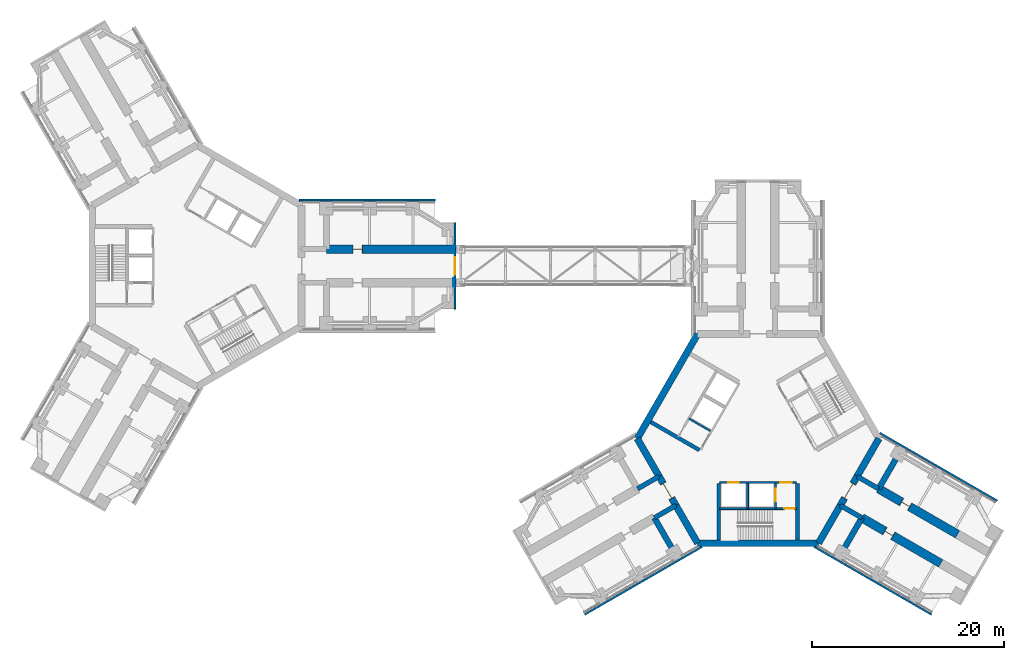
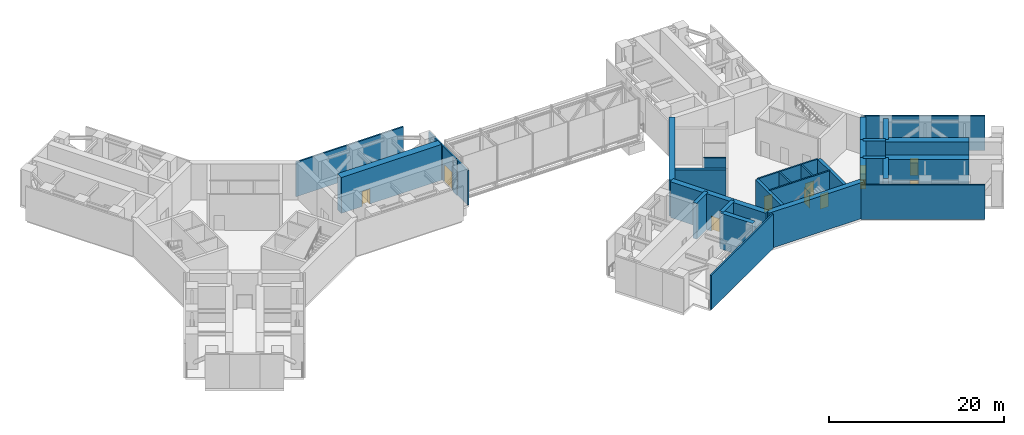
# One storey, part 10 of 17: 35 walls, 10 doors, 10 openings.
"""IFC4 building model written with IfcOpenShell, lengths in metres."""

import ifcopenshell
import ifcopenshell.guid

model = None  # the IFC model being written
_history = None  # IfcOwnerHistory: only IFC2X3 demands one
_inside = {}  # id of a spatial element -> (the spatial element, [elements in it])
_under = {}  # id of a project, library or spatial element -> (it, [spatial elements below it])
_declared = {}  # id of a project -> (the project, [libraries it declares])
_typed = {}  # id of a type object -> (the type object, [elements of that type])
_made_of = {}  # id of a material, layer set ... -> (it, [elements and type objects made of it])


def new_model(schema):
    """Start an empty IFC model of exactly this schema.

    Asked for "IFC4X3", IfcOpenShell would pick the latest addendum, in which some entities
    have other attributes; the version numbers below select the first issue.
    IFC2X3 requires an IfcOwnerHistory on every rooted entity: one is made here for all.
    """
    global model, _history
    if schema == "IFC4X3":
        model = ifcopenshell.file(schema_version=(4, 3, 0, 0))
    else:
        model = ifcopenshell.file(schema=schema)
    _inside.clear()
    _under.clear()
    _declared.clear()
    _typed.clear()
    _made_of.clear()
    _history = None
    if model.schema == "IFC2X3":
        org = make("IfcOrganization", Name="unknown")
        user = make(
            "IfcPersonAndOrganization",
            ThePerson=make("IfcPerson", FamilyName="unknown"),
            TheOrganization=org,
        )
        app = make(
            "IfcApplication",
            ApplicationDeveloper=org,
            Version="unknown",
            ApplicationFullName="unknown",
            ApplicationIdentifier="unknown",
        )
        _history = make(
            "IfcOwnerHistory",
            OwningUser=user,
            OwningApplication=app,
            ChangeAction="ADDED",
            CreationDate=0,
        )
    return model


def make(cls, **values):
    """One entity of the class cls with the attributes given. An attribute that is None is left unset."""
    return model.create_entity(
        cls, **{name: value for name, value in values.items() if value is not None}
    )


def rooted(cls, **values):
    """An entity with a GlobalId (a new one), such as an element, a storey or a relation."""
    return make(cls, GlobalId=ifcopenshell.guid.new(), OwnerHistory=_history, **values)


def si_unit(unit_type, name, prefix=None):
    """IfcSIUnit, for example si_unit("LENGTHUNIT", "METRE", prefix="MILLI")."""
    return make("IfcSIUnit", UnitType=unit_type, Prefix=prefix, Name=name)


def assignment(units):
    """IfcUnitAssignment: the units of a project."""
    return None if units is None else make("IfcUnitAssignment", Units=units)


def point(xyz):
    """IfcCartesianPoint."""
    return None if xyz is None else make("IfcCartesianPoint", Coordinates=xyz)


def direction(xyz):
    """IfcDirection."""
    return None if xyz is None else make("IfcDirection", DirectionRatios=xyz)


def frame(location, z_axis=None, x_axis=None):
    """IfcAxis2Placement3D, a coordinate frame: its origin and axes. An axis left out is left unset."""
    return make(
        "IfcAxis2Placement3D",
        Location=point(location),
        Axis=direction(z_axis),
        RefDirection=direction(x_axis),
    )


def frame_2d(location, x_axis=None):
    """IfcAxis2Placement2D, a coordinate frame in the plane: its origin and x axis."""
    return make(
        "IfcAxis2Placement2D", Location=point(location), RefDirection=direction(x_axis)
    )


def origin():
    """The frame at (0, 0, 0) with its axes left unset."""
    return frame((0.0, 0.0, 0.0))


def place(relative_to, where):
    """IfcLocalPlacement: puts the frame where relative to a parent placement (None: the world)."""
    return make(
        "IfcLocalPlacement", PlacementRelTo=relative_to, RelativePlacement=where
    )


def context(
    kind, dimensions, precision=None, world=None, true_north=None, identifier=None
):
    """IfcGeometricRepresentationContext, for example the 3D "Model" context."""
    return make(
        "IfcGeometricRepresentationContext",
        ContextIdentifier=identifier,
        ContextType=kind,
        CoordinateSpaceDimension=dimensions,
        Precision=precision,
        WorldCoordinateSystem=world,
        TrueNorth=true_north,
    )


def subcontext(parent, identifier, kind, view, scale=None):
    """IfcGeometricRepresentationSubContext, for example "Body" below "Model"."""
    return make(
        "IfcGeometricRepresentationSubContext",
        ContextIdentifier=identifier,
        ContextType=kind,
        ParentContext=parent,
        TargetScale=scale,
        TargetView=view,
    )


def project(units=None, contexts=None):
    """IfcProject with its units and contexts."""
    return rooted(
        "IfcProject",
        Name="project",
        RepresentationContexts=contexts,
        UnitsInContext=assignment(units),
    )


def spatial(cls, under=None, at=None, **own):
    """A site, building, storey or space (cls), placed at a placement, below another one or the project."""
    s = rooted(cls, ObjectPlacement=at, **own)
    if under is not None:
        _under.setdefault(under.id(), (under, []))[1].append(s)
    return s


def profile(cls, at=None, kind="AREA", **sizes):
    """A parametric profile (cls). Its sizes go by their IFC names, for example OverallWidth=200.0."""
    return make(cls, ProfileType=kind, Position=at, **sizes)


def rectangle(**sizes):
    """IfcRectangleProfileDef."""
    return profile("IfcRectangleProfileDef", **sizes)


def extrude(swept, where, along, depth):
    """IfcExtrudedAreaSolid: the profile swept, set in the frame where, extruded along a direction by depth."""
    return make(
        "IfcExtrudedAreaSolid",
        SweptArea=swept,
        Position=where,
        ExtrudedDirection=direction(along),
        Depth=depth,
    )


def shape(context_of_items, identifier, shape_type, items):
    """IfcShapeRepresentation: the items that make up one representation, for example the "Body"."""
    return make(
        "IfcShapeRepresentation",
        ContextOfItems=context_of_items,
        RepresentationIdentifier=identifier,
        RepresentationType=shape_type,
        Items=items,
    )


def material(Name=None, Category=None):
    """IfcMaterial."""
    return make("IfcMaterial", Name=Name, Category=Category)


def layer(
    of_material, thickness, ventilated=None, Name=None, Category=None, Priority=None
):
    """IfcMaterialLayer: one layer of a wall or slab, of a material (None: an air gap)."""
    return make(
        "IfcMaterialLayer",
        Material=of_material,
        LayerThickness=thickness,
        IsVentilated=ventilated,
        Name=Name,
        Category=Category,
        Priority=Priority,
    )


def layer_set(layers, Name=None):
    """IfcMaterialLayerSet."""
    return make("IfcMaterialLayerSet", MaterialLayers=layers, LayerSetName=Name)


def made_of(thing, what):
    """Note that an element or type object is made of a material, layer set ...; save() writes the relation."""
    if what is not None:
        _made_of.setdefault(what.id(), (what, []))[1].append(thing)
    return thing


def type_object(cls, material=None, **own):
    """A type object (cls), such as IfcWallType, which elements share."""
    return made_of(rooted(cls, **own), material)


def element(
    cls,
    number,
    at=None,
    inside=None,
    cuts=None,
    type_object=None,
    material=None,
    context=None,
    identifier="Body",
    shape_type=None,
    held_by="IfcProductDefinitionShape",
    body=None,
    shapes=None,
    **own,
):
    """One element of the class cls, such as IfcWall. Its Tag is "e" and its number.

    at: its placement. inside: the storey or other place that contains it. cuts: it is an
    opening in that element (IfcRelVoidsElement). A single representation is given by context,
    identifier, shape_type and body (its items); several are given by shapes. held_by: the class
    of the entity that holds the representations. save() writes the other relations.
    """
    e = rooted(cls, Tag="e%d" % number, ObjectPlacement=at, **own)
    if body is not None:
        shapes = [shape(context, identifier, shape_type, body)]
    if shapes is not None:
        e.Representation = make(held_by, Representations=shapes)
    if inside is not None:
        _inside.setdefault(inside.id(), (inside, []))[1].append(e)
    if cuts is not None:
        rooted(
            "IfcRelVoidsElement", RelatingBuildingElement=cuts, RelatedOpeningElement=e
        )
    if type_object is not None:
        _typed.setdefault(type_object.id(), (type_object, []))[1].append(e)
    return made_of(e, material)


def fill(opening, filler):
    """IfcRelFillsElement: the door or window that sits in an opening."""
    return rooted(
        "IfcRelFillsElement",
        RelatingOpeningElement=opening,
        RelatedBuildingElement=filler,
    )


def aggregate(whole, parts):
    """IfcRelAggregates: a whole, such as a stair, and the parts it consists of."""
    return rooted("IfcRelAggregates", RelatingObject=whole, RelatedObjects=parts)


def save(model, path):
    """Write the relations noted so far, then the file.

    IfcRelAggregates (storeys below a building ...), IfcRelContainedInSpatialStructure (elements
    in a storey), IfcRelDefinesByType, IfcRelAssociatesMaterial and IfcRelDeclares: one each for
    every whole, place, type object, material and project.
    """
    for whole, parts in _under.values():
        aggregate(whole, parts)
    for where, things in _inside.values():
        rooted(
            "IfcRelContainedInSpatialStructure",
            RelatedElements=things,
            RelatingStructure=where,
        )
    for kind, things in _typed.values():
        rooted("IfcRelDefinesByType", RelatedObjects=things, RelatingType=kind)
    for what, things in _made_of.values():
        rooted("IfcRelAssociatesMaterial", RelatedObjects=things, RelatingMaterial=what)
    for by, libraries in _declared.values():
        rooted("IfcRelDeclares", RelatingContext=by, RelatedDefinitions=libraries)
    model.write(path)


model = new_model("IFC4")

# Units and contexts
model_context = context("Model", 3, precision=1e-05, world=origin(), true_north=direction((0.0, 1.0)))
body_context = subcontext(model_context, "Body", "Model", "MODEL_VIEW")
ifc_project = project(units=[si_unit("LENGTHUNIT", "METRE"), si_unit("AREAUNIT", "SQUARE_METRE"), si_unit("VOLUMEUNIT", "CUBIC_METRE"), si_unit("PLANEANGLEUNIT", "RADIAN"), si_unit("MASSUNIT", "GRAM", prefix="KILO")], contexts=[model_context])

# Site, building, storey
site_placement = place(None, origin())
site = spatial("IfcSite", under=ifc_project, at=site_placement, CompositionType="ELEMENT")
building_placement = place(site_placement, origin())
building = spatial("IfcBuilding", under=site, at=building_placement, Name="Upepo Twin Towers", CompositionType="ELEMENT")
storey_placement = place(building_placement, frame((0.0, 0.0, 92.5)))
storey = spatial("IfcBuildingStorey", under=building, at=storey_placement, Name="L22", CompositionType="ELEMENT", Elevation=92.5)

# Walls
ifc_material_1 = material(Name="Precast concrete breeze blocks", Category="concrete")
ifc_layer_1 = layer(ifc_material_1, 0.199951171875)
ifc_layer_set_1 = layer_set([ifc_layer_1], Name="Breeze-block screen wall 200")
wall_type_1 = type_object("IfcWallType", Name="Breeze-block screen wall 200", PredefinedType="USERDEFINED", material=ifc_layer_set_1)
wall_1_placement = place(storey_placement, frame((10.68701171875, 6.85009765625, 0.0), z_axis=(0.0, 0.0, 1.0), x_axis=(1.0, 0.0, 0.0)))
element("IfcWall", 1, at=wall_1_placement, inside=storey, type_object=wall_type_1, Name="T1 L22 wing A screen L", ObjectType="SCREEN", PredefinedType="USERDEFINED", context=body_context, shape_type="SweptSolid", body=[
    extrude(rectangle(XDim=14.1630859375, YDim=0.199951171875, at=frame_2d((7.08154296875, 0.0))), origin(), (0.0, 0.0, 1.0), 4.800048828125),
])
for number, where, z_axis, x_axis, name in (
    (2, (26.89990234375, -4.5, 0.0), (0.0, 0.0, 1.0), (0.0, 1.0, 0.0), "T1 L22 wing A nose screen 0"),
    (3, (26.89990234375, 1.75, 0.0), (0.0, 0.0, 1.0), (0.0, 1.0, 0.0), "T1 L22 wing A nose screen 2"),
):
    element("IfcWall", number, at=place(storey_placement, frame(where, z_axis=z_axis, x_axis=x_axis)), inside=storey, type_object=wall_type_1, Name=name, ObjectType="SCREEN", PredefinedType="USERDEFINED", context=body_context, shape_type="SweptSolid", body=[
        extrude(rectangle(XDim=2.75, YDim=0.199951171875, at=frame_2d((1.375, 0.0))), origin(), (0.0, 0.0, 1.0), 4.800048828125),
    ])
for number, where, z_axis, x_axis, name in (
    (4, (52.669677734375, -29.27587890625, 0.0), (0.0, 0.0, 1.0), (-0.866029137234, -0.49999353342, 0.0), "T2 L22 wing B screen L"),
    (5, (71.180419921875, -17.411376953125, 0.0), (0.0, 0.0, 1.0), (0.866029137234, -0.49999353342, 0.0), "T2 L22 wing C screen L"),
    (6, (76.595703125, -36.357177734375, 0.0), (0.0, 0.0, 1.0), (-0.866029137234, 0.49999353342, 0.0), "T2 L22 wing C screen R"),
):
    element("IfcWall", number, at=place(storey_placement, frame(where, z_axis=z_axis, x_axis=x_axis)), inside=storey, type_object=wall_type_1, Name=name, ObjectType="SCREEN", PredefinedType="USERDEFINED", context=body_context, shape_type="SweptSolid", body=[
        extrude(rectangle(XDim=14.162841796875, YDim=0.199951171875, at=frame_2d((7.08154296875, 0.0))), origin(), (0.0, 0.0, 1.0), 4.800048828125),
    ])
ifc_material_2 = material(Name="Dense concrete blockwork", Category="masonry")
ifc_layer_2 = layer(ifc_material_2, 0.89990234375)
ifc_layer_set_2 = layer_set([ifc_layer_2], Name="Buttress closer 900, blockwork with fire-stopping to the curtain wall")
wall_type_2 = type_object("IfcWallType", Name="Buttress closer 900, blockwork with fire-stopping to the curtain wall", PredefinedType="PARTITIONING", material=ifc_layer_set_2)
for number, where, z_axis, x_axis, name in (
    (7, (26.699951171875, 1.75, 0.0), (0.0, 0.0, 1.0), (1.0, 0.0, 0.0), "T1 L22 wing A buttress closer L"),
    (8, (26.699951171875, -1.75, 0.0), (0.0, 0.0, 1.0), (1.0, 0.0, 0.0), "T1 L22 wing A buttress closer R"),
):
    element("IfcWall", number, at=place(storey_placement, frame(where, z_axis=z_axis, x_axis=x_axis)), inside=storey, type_object=wall_type_2, Name=name, PredefinedType="PARTITIONING", context=body_context, shape_type="SweptSolid", body=[
        extrude(rectangle(XDim=0.10009765625, YDim=0.89990234375, at=frame_2d((0.050048828125, 0.0))), origin(), (0.0, 0.0, 1.0), 4.800048828125),
    ])
ifc_material_3 = material(Name="Concrete C60/75", Category="concrete")
ifc_layer_3 = layer(ifc_material_3, 0.5)
ifc_layer_set_3 = layer_set([ifc_layer_3], Name="Concrete C60/75")
wall_type_3 = type_object("IfcWallType", Name="Buttress wall 500 RC", PredefinedType="SHEAR", material=ifc_layer_set_3)
for number, where, z_axis, x_axis, name in (
    (9, (49.92822265625, -24.9697265625, 0.0), (0.0, 0.0, 1.0), (-0.866031863473, -0.499988811324, 0.0), "T2 wing B buttress wall L"),
    (10, (48.17822265625, -21.938720703125, 0.0), (0.0, 0.0, 1.0), (-0.866072649678, -0.499918158782, 0.0), "T2 wing B buttress wall R"),
    (11, (68.82177734375, -21.938720703125, 0.0), (0.0, 0.0, 1.0), (0.866072649678, -0.499918158782, 0.0), "T2 wing C buttress wall L"),
    (12, (67.07177734375, -24.9697265625, 0.0), (0.0, 0.0, 1.0), (0.866031863473, -0.499988811324, 0.0), "T2 wing C buttress wall R"),
):
    element("IfcWall", number, at=place(storey_placement, frame(where, z_axis=z_axis, x_axis=x_axis)), inside=storey, type_object=wall_type_3, Name=name, PredefinedType="SHEAR", context=body_context, shape_type="SweptSolid", body=[
        extrude(rectangle(XDim=2.591796875, YDim=0.5, at=frame_2d((1.2958984375, 0.0))), origin(), (0.0, 0.0, 1.0), 5.0),
    ])

# Wall, opening, door
ifc_material_4 = material(Name="Concrete C60/75", Category="concrete")
ifc_layer_4 = layer(ifc_material_4, 0.89990234375)
ifc_layer_set_4 = layer_set([ifc_layer_4], Name="Concrete C60/75")
wall_type_4 = type_object("IfcWallType", Name="Buttress wall 900 RC", PredefinedType="SHEAR", material=ifc_layer_set_4)
wall_2_placement = place(storey_placement, frame((13.5, 1.75, 0.0), z_axis=(0.0, 0.0, 1.0), x_axis=(1.0, 0.0, 0.0)))
wall_2 = element("IfcWall", 13, at=wall_2_placement, inside=storey, type_object=wall_type_4, Name="T1 wing A buttress wall L part 2", PredefinedType="SHEAR", context=body_context, shape_type="SweptSolid", body=[
    extrude(rectangle(XDim=13.199951171875, YDim=0.89990234375, at=frame_2d((6.60009765625, 0.0))), origin(), (0.0, 0.0, 1.0), 5.0),
])
opening_1_placement = place(wall_2_placement, frame((2.75, 0.0, 0.0)))
opening_1 = element("IfcOpeningElement", 14, at=opening_1_placement, cuts=wall_2, Name="Opening D1", PredefinedType="OPENING", context=body_context, shape_type="SweptSolid", body=[
    extrude(rectangle(XDim=1.0, YDim=2.10009765625, at=frame_2d((0.5, 1.050048828125))), frame((0.0, 0.4599609375, 0.0), z_axis=(0.0, -1.0, 0.0), x_axis=(1.0, 0.0, 0.0)), (0.0, 0.0, 1.0), 0.919921875),
])
ifc_material_5 = material(Name="Timber doorset", Category="wood")
door_type_1 = type_object("IfcDoorType", Name="Room door 1000 FD30", OperationType="SINGLE_SWING_LEFT", PredefinedType="DOOR", material=ifc_material_5)
door_1_placement = place(opening_1_placement, origin())
door_1 = element("IfcDoor", 15, at=door_1_placement, inside=storey, type_object=door_type_1, Name="T1 L22 refuge area door", OperationType="SINGLE_SWING_LEFT", OverallHeight=2.10009765625, OverallWidth=1.0, PredefinedType="DOOR", context=body_context, shape_type="SweptSolid", body=[
    extrude(rectangle(XDim=0.92, YDim=2.06009765625, at=frame_2d((0.5, 1.030029296875))), frame((0.0, 0.02490234375, 0.0), z_axis=(0.0, -1.0, 0.0), x_axis=(1.0, 0.0, 0.0)), (0.0, 0.0, 1.0), 0.050048828125),
    extrude(rectangle(XDim=0.04, YDim=2.10009765625, at=frame_2d((0.02001953125, 1.050048828125))), frame((0.0, 0.44970703125, 0.0), z_axis=(0.0, -1.0, 0.0), x_axis=(1.0, 0.0, 0.0)), (0.0, 0.0, 1.0), 0.8994140625),
    extrude(rectangle(XDim=0.04, YDim=2.10009765625, at=frame_2d((0.97998046875, 1.050048828125))), frame((0.0, 0.44970703125, 0.0), z_axis=(0.0, -1.0, 0.0), x_axis=(1.0, 0.0, 0.0)), (0.0, 0.0, 1.0), 0.8994140625),
    extrude(rectangle(XDim=0.92, YDim=0.04, at=frame_2d((0.5, 2.080078125))), frame((0.0, 0.44970703125, 0.0), z_axis=(0.0, -1.0, 0.0), x_axis=(1.0, 0.0, 0.0)), (0.0, 0.0, 1.0), 0.8994140625),
])
fill(opening_1, door_1)

wall_3_placement = place(storey_placement, frame((71.06640625, -23.234375, 0.0), z_axis=(0.0, 0.0, 1.0), x_axis=(0.86602681393, -0.499997557548, 0.0)))
wall_3 = element("IfcWall", 16, at=wall_3_placement, inside=storey, type_object=wall_type_4, Name="T2 wing C buttress wall L part 2", PredefinedType="SHEAR", context=body_context, shape_type="SweptSolid", body=[
    extrude(rectangle(XDim=9.5, YDim=0.89990234375, at=frame_2d((4.75, 0.0))), origin(), (0.0, 0.0, 1.0), 5.0),
])
opening_2_placement = place(wall_3_placement, frame((2.75, 0.0, 0.0)))
opening_2 = element("IfcOpeningElement", 17, at=opening_2_placement, cuts=wall_3, Name="Opening D1", PredefinedType="OPENING", context=body_context, shape_type="SweptSolid", body=[
    extrude(rectangle(XDim=1.0, YDim=2.10009765625, at=frame_2d((0.5, 1.050048828125))), frame((0.0, 0.4599609375, 0.0), z_axis=(0.0, -1.0, 0.0), x_axis=(1.0, 0.0, 0.0)), (0.0, 0.0, 1.0), 0.919921875),
])
door_2_placement = place(opening_2_placement, origin())
door_2 = element("IfcDoor", 18, at=door_2_placement, inside=storey, type_object=door_type_1, Name="T2 L22 refuge area door", OperationType="SINGLE_SWING_LEFT", OverallHeight=2.10009765625, OverallWidth=1.0, PredefinedType="DOOR", context=body_context, shape_type="SweptSolid", body=[
    extrude(rectangle(XDim=0.92, YDim=2.06009765625, at=frame_2d((0.5, 1.030029296875))), frame((0.0, 0.02490234375, 0.0), z_axis=(0.0, -1.0, 0.0), x_axis=(1.0, 0.0, 0.0)), (0.0, 0.0, 1.0), 0.050048828125),
    extrude(rectangle(XDim=0.04, YDim=2.10009765625, at=frame_2d((0.02001953125, 1.050048828125))), frame((0.0, 0.44970703125, 0.0), z_axis=(0.0, -1.0, 0.0), x_axis=(1.0, 0.0, 0.0)), (0.0, 0.0, 1.0), 0.8994140625),
    extrude(rectangle(XDim=0.04, YDim=2.10009765625, at=frame_2d((0.97998046875, 1.050048828125))), frame((0.0, 0.44970703125, 0.0), z_axis=(0.0, -1.0, 0.0), x_axis=(1.0, 0.0, 0.0)), (0.0, 0.0, 1.0), 0.8994140625),
    extrude(rectangle(XDim=0.92, YDim=0.04, at=frame_2d((0.5, 2.080078125))), frame((0.0, 0.44970703125, 0.0), z_axis=(0.0, -1.0, 0.0), x_axis=(1.0, 0.0, 0.0)), (0.0, 0.0, 1.0), 0.8994140625),
])
fill(opening_2, door_2)

wall_4_placement = place(storey_placement, frame((69.31640625, -26.265625, 0.0), z_axis=(0.0, 0.0, 1.0), x_axis=(0.86602681393, -0.499997557548, 0.0)))
wall_4 = element("IfcWall", 19, at=wall_4_placement, inside=storey, type_object=wall_type_4, Name="T2 wing C buttress wall R part 2", PredefinedType="SHEAR", context=body_context, shape_type="SweptSolid", body=[
    extrude(rectangle(XDim=9.5, YDim=0.89990234375, at=frame_2d((4.75, 0.0))), origin(), (0.0, 0.0, 1.0), 5.0),
])
opening_3_placement = place(wall_4_placement, frame((2.75, 0.0, 0.0)))
opening_3 = element("IfcOpeningElement", 20, at=opening_3_placement, cuts=wall_4, Name="Opening D1", PredefinedType="OPENING", context=body_context, shape_type="SweptSolid", body=[
    extrude(rectangle(XDim=1.0, YDim=2.10009765625, at=frame_2d((0.5, 1.050048828125))), frame((0.0, 0.4599609375, 0.0), z_axis=(0.0, -1.0, 0.0), x_axis=(1.0, 0.0, 0.0)), (0.0, 0.0, 1.0), 0.919921875),
])
door_3_placement = place(opening_3_placement, origin())
door_3 = element("IfcDoor", 21, at=door_3_placement, inside=storey, type_object=door_type_1, Name="T2 L22 electrical switch room door", OperationType="SINGLE_SWING_LEFT", OverallHeight=2.10009765625, OverallWidth=1.0, PredefinedType="DOOR", context=body_context, shape_type="SweptSolid", body=[
    extrude(rectangle(XDim=0.92, YDim=2.06009765625, at=frame_2d((0.5, 1.030029296875))), frame((0.0, 0.02490234375, 0.0), z_axis=(0.0, -1.0, 0.0), x_axis=(1.0, 0.0, 0.0)), (0.0, 0.0, 1.0), 0.050048828125),
    extrude(rectangle(XDim=0.04, YDim=2.10009765625, at=frame_2d((0.02001953125, 1.050048828125))), frame((0.0, 0.44970703125, 0.0), z_axis=(0.0, -1.0, 0.0), x_axis=(1.0, 0.0, 0.0)), (0.0, 0.0, 1.0), 0.8994140625),
    extrude(rectangle(XDim=0.04, YDim=2.10009765625, at=frame_2d((0.97998046875, 1.050048828125))), frame((0.0, 0.44970703125, 0.0), z_axis=(0.0, -1.0, 0.0), x_axis=(1.0, 0.0, 0.0)), (0.0, 0.0, 1.0), 0.8994140625),
    extrude(rectangle(XDim=0.92, YDim=0.04, at=frame_2d((0.5, 2.080078125))), frame((0.0, 0.44970703125, 0.0), z_axis=(0.0, -1.0, 0.0), x_axis=(1.0, 0.0, 0.0)), (0.0, 0.0, 1.0), 0.8994140625),
])
fill(opening_3, door_3)

# Walls
ifc_material_6 = material(Name="Concrete C60/75", Category="concrete")
ifc_layer_5 = layer(ifc_material_6, 0.699951171875)
ifc_layer_set_5 = layer_set([ifc_layer_5], Name="Concrete C60/75")
wall_type_5 = type_object("IfcWallType", Name="Core wall 700 RC", PredefinedType="SHEAR", material=ifc_layer_set_5)
wall_5_placement = place(storey_placement, frame((52.2021484375, -7.091552734375, 0.0), z_axis=(0.0, 0.0, 1.0), x_axis=(-0.500005998175, -0.866021940709, 0.0)))
element("IfcWall", 22, at=wall_5_placement, inside=storey, type_object=wall_type_5, Name="T2 core wall 060", PredefinedType="SHEAR", context=body_context, shape_type="SweptSolid", body=[
    extrude(rectangle(XDim=12.595947265625, YDim=0.699951171875, at=frame_2d((6.2978515625, 0.0))), origin(), (0.0, 0.0, 1.0), 5.0),
])
wall_6_placement = place(storey_placement, frame((45.904052734375, -18.0, 0.0), z_axis=(0.0, 0.0, 1.0), x_axis=(0.500024481964, -0.866011268655, 0.0)))
element("IfcWall", 23, at=wall_6_placement, inside=storey, type_object=wall_type_5, Name="T2 core wall 120 R", PredefinedType="SHEAR", context=body_context, shape_type="SweptSolid", body=[
    extrude(rectangle(XDim=4.548095703125, YDim=0.699951171875, at=frame_2d((2.27392578125, 0.0))), origin(), (0.0, 0.0, 1.0), 5.0),
])

# Wall, opening, door
wall_7_placement = place(storey_placement, frame((48.17822265625, -21.938720703125, 0.0), z_axis=(0.0, 0.0, 1.0), x_axis=(0.500010275428, -0.866019471182, 0.0)))
wall_7 = element("IfcWall", 24, at=wall_7_placement, inside=storey, type_object=wall_type_5, Name="T2 core wall 120", PredefinedType="SHEAR", context=body_context, shape_type="SweptSolid", body=[
    extrude(rectangle(XDim=3.5, YDim=0.699951171875, at=frame_2d((1.75, 0.0))), origin(), (0.0, 0.0, 1.0), 5.0),
])
opening_4_placement = place(wall_7_placement, frame((0.85009765625, 0.0, 0.0)))
opening_4 = element("IfcOpeningElement", 25, at=opening_4_placement, cuts=wall_7, Name="Opening D2", PredefinedType="OPENING", context=body_context, shape_type="SweptSolid", body=[
    extrude(rectangle(XDim=1.800048828125, YDim=2.10009765625, at=frame_2d((0.89990234375, 1.050048828125))), frame((0.0, 0.35986328125, 0.0), z_axis=(0.0, -1.0, 0.0), x_axis=(1.0, 0.0, 0.0)), (0.0, 0.0, 1.0), 0.719970703125),
])
ifc_material_7 = material(Name="Timber doorset", Category="wood")
door_type_2 = type_object("IfcDoorType", Name="Corridor double door 1800 FD60", OperationType="DOUBLE_DOOR_DOUBLE_SWING", PredefinedType="DOOR", material=ifc_material_7)
door_4_placement = place(opening_4_placement, origin())
door_4 = element("IfcDoor", 26, at=door_4_placement, inside=storey, type_object=door_type_2, Name="T2 L22 wing B corridor door", OperationType="DOUBLE_DOOR_DOUBLE_SWING", OverallHeight=2.10009765625, OverallWidth=1.800048828125, PredefinedType="DOOR", context=body_context, shape_type="SweptSolid", body=[
    extrude(rectangle(XDim=1.720048828125, YDim=2.06009765625, at=frame_2d((0.89990234375, 1.030029296875))), frame((0.0, 0.02490234375, 0.0), z_axis=(0.0, -1.0, 0.0), x_axis=(1.0, 0.0, 0.0)), (0.0, 0.0, 1.0), 0.050048828125),
    extrude(rectangle(XDim=0.04, YDim=2.10009765625, at=frame_2d((0.02001953125, 1.050048828125))), frame((0.0, 0.349609375, 0.0), z_axis=(0.0, -1.0, 0.0), x_axis=(1.0, 0.0, 0.0)), (0.0, 0.0, 1.0), 0.699462890625),
    extrude(rectangle(XDim=0.04, YDim=2.10009765625, at=frame_2d((1.780029296875, 1.050048828125))), frame((0.0, 0.349609375, 0.0), z_axis=(0.0, -1.0, 0.0), x_axis=(1.0, 0.0, 0.0)), (0.0, 0.0, 1.0), 0.699462890625),
    extrude(rectangle(XDim=1.720048828125, YDim=0.04, at=frame_2d((0.89990234375, 2.080078125))), frame((0.0, 0.349609375, 0.0), z_axis=(0.0, -1.0, 0.0), x_axis=(1.0, 0.0, 0.0)), (0.0, 0.0, 1.0), 0.699462890625),
])
fill(opening_4, door_4)

# Walls
wall_8_placement = place(storey_placement, frame((49.92822265625, -24.9697265625, 0.0), z_axis=(0.0, 0.0, 1.0), x_axis=(0.499984222037, -0.866034513004, 0.0)))
element("IfcWall", 27, at=wall_8_placement, inside=storey, type_object=wall_type_5, Name="T2 core wall 120 L", PredefinedType="SHEAR", context=body_context, shape_type="SweptSolid", body=[
    extrude(rectangle(XDim=4.548095703125, YDim=0.699951171875, at=frame_2d((2.27392578125, 0.0))), origin(), (0.0, 0.0, 1.0), 5.0),
])
wall_9_placement = place(storey_placement, frame((52.2021484375, -28.908447265625, 0.0), z_axis=(0.0, 0.0, 1.0), x_axis=(1.0, 0.0, 0.0)))
element("IfcWall", 28, at=wall_9_placement, inside=storey, type_object=wall_type_5, Name="T2 core wall 180", PredefinedType="SHEAR", context=body_context, shape_type="SweptSolid", body=[
    extrude(rectangle(XDim=12.595703125, YDim=0.699951171875, at=frame_2d((6.2978515625, 0.0))), origin(), (0.0, 0.0, 1.0), 5.0),
])
wall_10_placement = place(storey_placement, frame((64.7978515625, -28.908447265625, 0.0), z_axis=(0.0, 0.0, 1.0), x_axis=(0.499984222037, 0.866034513004, 0.0)))
element("IfcWall", 29, at=wall_10_placement, inside=storey, type_object=wall_type_5, Name="T2 core wall 240 R", PredefinedType="SHEAR", context=body_context, shape_type="SweptSolid", body=[
    extrude(rectangle(XDim=4.548095703125, YDim=0.699951171875, at=frame_2d((2.27392578125, 0.0))), origin(), (0.0, 0.0, 1.0), 5.0),
])

# Wall, opening, door
wall_11_placement = place(storey_placement, frame((67.07177734375, -24.9697265625, 0.0), z_axis=(0.0, 0.0, 1.0), x_axis=(0.500010275428, 0.866019471182, 0.0)))
wall_11 = element("IfcWall", 30, at=wall_11_placement, inside=storey, type_object=wall_type_5, Name="T2 core wall 240", PredefinedType="SHEAR", context=body_context, shape_type="SweptSolid", body=[
    extrude(rectangle(XDim=3.5, YDim=0.699951171875, at=frame_2d((1.75, 0.0))), origin(), (0.0, 0.0, 1.0), 5.0),
])
opening_5_placement = place(wall_11_placement, frame((0.85009765625, 0.0, 0.0)))
opening_5 = element("IfcOpeningElement", 31, at=opening_5_placement, cuts=wall_11, Name="Opening D2", PredefinedType="OPENING", context=body_context, shape_type="SweptSolid", body=[
    extrude(rectangle(XDim=1.800048828125, YDim=2.10009765625, at=frame_2d((0.89990234375, 1.050048828125))), frame((0.0, 0.35986328125, 0.0), z_axis=(0.0, -1.0, 0.0), x_axis=(1.0, 0.0, 0.0)), (0.0, 0.0, 1.0), 0.719970703125),
])
door_5_placement = place(opening_5_placement, origin())
door_5 = element("IfcDoor", 32, at=door_5_placement, inside=storey, type_object=door_type_2, Name="T2 L22 wing C corridor door", OperationType="DOUBLE_DOOR_DOUBLE_SWING", OverallHeight=2.10009765625, OverallWidth=1.800048828125, PredefinedType="DOOR", context=body_context, shape_type="SweptSolid", body=[
    extrude(rectangle(XDim=1.720048828125, YDim=2.06009765625, at=frame_2d((0.89990234375, 1.030029296875))), frame((0.0, 0.02490234375, 0.0), z_axis=(0.0, -1.0, 0.0), x_axis=(1.0, 0.0, 0.0)), (0.0, 0.0, 1.0), 0.050048828125),
    extrude(rectangle(XDim=0.04, YDim=2.10009765625, at=frame_2d((0.02001953125, 1.050048828125))), frame((0.0, 0.349609375, 0.0), z_axis=(0.0, -1.0, 0.0), x_axis=(1.0, 0.0, 0.0)), (0.0, 0.0, 1.0), 0.699462890625),
    extrude(rectangle(XDim=0.04, YDim=2.10009765625, at=frame_2d((1.780029296875, 1.050048828125))), frame((0.0, 0.349609375, 0.0), z_axis=(0.0, -1.0, 0.0), x_axis=(1.0, 0.0, 0.0)), (0.0, 0.0, 1.0), 0.699462890625),
    extrude(rectangle(XDim=1.720048828125, YDim=0.04, at=frame_2d((0.89990234375, 2.080078125))), frame((0.0, 0.349609375, 0.0), z_axis=(0.0, -1.0, 0.0), x_axis=(1.0, 0.0, 0.0)), (0.0, 0.0, 1.0), 0.699462890625),
])
fill(opening_5, door_5)

# Walls
wall_12_placement = place(storey_placement, frame((68.82177734375, -21.938720703125, 0.0), z_axis=(0.0, 0.0, 1.0), x_axis=(0.500024481964, 0.866011268655, 0.0)))
element("IfcWall", 33, at=wall_12_placement, inside=storey, type_object=wall_type_5, Name="T2 core wall 240 L", PredefinedType="SHEAR", context=body_context, shape_type="SweptSolid", body=[
    extrude(rectangle(XDim=4.548095703125, YDim=0.699951171875, at=frame_2d((2.27392578125, 0.0))), origin(), (0.0, 0.0, 1.0), 5.0),
])
ifc_material_8 = material(Name="Concrete C60/75", Category="concrete")
ifc_layer_6 = layer(ifc_material_8, 0.60009765625)
ifc_layer_set_6 = layer_set([ifc_layer_6], Name="Concrete C60/75")
wall_type_6 = type_object("IfcWallType", Name="Outrigger wall 600 RC", PredefinedType="SHEAR", material=ifc_layer_set_6)
for number, where, z_axis, x_axis, name in (
    (34, (47.68359375, -26.265625, 0.0), (0.0, 0.0, 1.0), (0.50001915956, -0.866014341725, 0.0), "T2 outrigger wall BL"),
    (35, (71.06640625, -23.234375, 0.0), (0.0, 0.0, 1.0), (0.50001915956, 0.866014341725, 0.0), "T2 outrigger wall CL"),
    (36, (69.31640625, -26.265625, 0.0), (0.0, 0.0, 1.0), (-0.50001915956, -0.866014341725, 0.0), "T2 outrigger wall CR"),
):
    element("IfcWall", number, at=place(storey_placement, frame(where, z_axis=z_axis, x_axis=x_axis)), inside=storey, type_object=wall_type_6, Name=name, PredefinedType="SHEAR", context=body_context, shape_type="SweptSolid", body=[
        extrude(rectangle(XDim=4.249755859375, YDim=0.60009765625, at=frame_2d((2.125, 0.0))), origin(), (0.0, 0.0, 1.0), 5.0),
    ])

# Wall, opening, door
ifc_material_9 = material(Name="Concrete C40/50", Category="concrete")
ifc_layer_7 = layer(ifc_material_9, 0.25)
ifc_layer_set_7 = layer_set([ifc_layer_7], Name="Concrete C40/50")
wall_type_7 = type_object("IfcWallType", Name="Refuge fire wall 250 RC", PredefinedType="STANDARD", material=ifc_layer_set_7)
wall_13_placement = place(storey_placement, frame((26.89990234375, -1.75, 0.0), z_axis=(0.0, 0.0, 1.0), x_axis=(0.0, 1.0, 0.0)))
wall_13 = element("IfcWall", 37, at=wall_13_placement, inside=storey, type_object=wall_type_7, Name="T1 L22 wing A nose wall", PredefinedType="STANDARD", context=body_context, shape_type="SweptSolid", body=[
    extrude(rectangle(XDim=3.5, YDim=0.199951171875, at=frame_2d((1.75, 0.0))), origin(), (0.0, 0.0, 1.0), 4.800048828125),
])
opening_6_placement = place(wall_13_placement, frame((0.85009765625, 0.0, 0.0)))
opening_6 = element("IfcOpeningElement", 38, at=opening_6_placement, cuts=wall_13, Name="Opening D6", PredefinedType="OPENING", context=body_context, shape_type="SweptSolid", body=[
    extrude(rectangle(XDim=1.800048828125, YDim=2.39990234375, at=frame_2d((0.89990234375, 1.199951171875))), frame((0.0, 0.10986328125, 0.0), z_axis=(0.0, -1.0, 0.0), x_axis=(1.0, 0.0, 0.0)), (0.0, 0.0, 1.0), 0.219970703125),
])
ifc_material_10 = material(Name="Aluminium glazed doorset", Category="aluminium")
door_type_3 = type_object("IfcDoorType", Name="Bridge door 1800 FD60", OperationType="DOUBLE_DOOR_DOUBLE_SWING", PredefinedType="DOOR", material=ifc_material_10)
door_6_placement = place(opening_6_placement, origin())
door_6 = element("IfcDoor", 39, at=door_6_placement, inside=storey, type_object=door_type_3, Name="T1 L22 wing A bridge door", OperationType="DOUBLE_DOOR_DOUBLE_SWING", OverallHeight=2.39990234375, OverallWidth=1.800048828125, PredefinedType="DOOR", context=body_context, shape_type="SweptSolid", body=[
    extrude(rectangle(XDim=1.800048828125, YDim=2.39990234375, at=frame_2d((0.89990234375, 1.199951171875))), frame((0.0, 0.02490234375, 0.0), z_axis=(0.0, -1.0, 0.0), x_axis=(1.0, 0.0, 0.0)), (0.0, 0.0, 1.0), 0.050048828125),
])
fill(opening_6, door_6)

# Wall
ifc_material_11 = material(Name="Concrete C40/50", Category="concrete")
ifc_layer_8 = layer(ifc_material_11, 0.199951171875)
ifc_layer_set_8 = layer_set([ifc_layer_8], Name="Concrete C40/50")
wall_type_8 = type_object("IfcWallType", Name="Shaft wall 200 RC", PredefinedType="SHEAR", material=ifc_layer_set_8)
wall_14_placement = place(storey_placement, frame((53.52978515625, -17.208740234375, 0.0), z_axis=(0.0, 0.0, 1.0), x_axis=(-0.866062058628, 0.499936506574, 0.0)))
element("IfcWall", 40, at=wall_14_placement, inside=storey, type_object=wall_type_8, Name="T2 core W60 lobby wall", PredefinedType="SHEAR", context=body_context, shape_type="SweptSolid", body=[
    extrude(rectangle(XDim=2.599853515625, YDim=0.199951171875, at=frame_2d((1.2998046875, 0.0))), origin(), (0.0, 0.0, 1.0), 5.0),
])

# Wall, openings, doors
wall_15_placement = place(storey_placement, frame((54.5, -22.60009765625, 0.0), z_axis=(0.0, 0.0, 1.0), x_axis=(1.0, 0.0, 0.0)))
wall_15 = element("IfcWall", 41, at=wall_15_placement, inside=storey, type_object=wall_type_8, Name="T2 core W180 front wall", PredefinedType="SHEAR", context=body_context, shape_type="SweptSolid", body=[
    extrude(rectangle(XDim=8.0, YDim=0.199951171875, at=frame_2d((4.0, 0.0))), origin(), (0.0, 0.0, 1.0), 5.0),
])
opening_7_placement = place(wall_15_placement, frame((6.300048828125, 0.0, 0.0)))
opening_7 = element("IfcOpeningElement", 42, at=opening_7_placement, cuts=wall_15, Name="Opening D4", PredefinedType="OPENING", context=body_context, shape_type="SweptSolid", body=[
    extrude(rectangle(XDim=1.199951171875, YDim=2.10009765625, at=frame_2d((0.60009765625, 1.050048828125))), frame((0.0, 0.10986328125, 0.0), z_axis=(0.0, -1.0, 0.0), x_axis=(1.0, 0.0, 0.0)), (0.0, 0.0, 1.0), 0.219970703125),
])
opening_8_placement = place(wall_15_placement, frame((0.89990234375, 0.0, 0.0)))
opening_8 = element("IfcOpeningElement", 43, at=opening_8_placement, cuts=wall_15, Name="Opening LD1", PredefinedType="OPENING", context=body_context, shape_type="SweptSolid", body=[
    extrude(rectangle(XDim=1.10009765625, YDim=2.199951171875, at=frame_2d((0.550048828125, 1.10009765625))), frame((0.0, 0.10986328125, 0.0), z_axis=(0.0, -1.0, 0.0), x_axis=(1.0, 0.0, 0.0)), (0.0, 0.0, 1.0), 0.219970703125),
])
ifc_material_12 = material(Name="Steel doorset", Category="steel")
door_type_4 = type_object("IfcDoorType", Name="Lift landing door 1100", OperationType="DOUBLE_DOOR_SLIDING", PredefinedType="DOOR", material=ifc_material_12)
door_7_placement = place(opening_8_placement, origin())
door_7 = element("IfcDoor", 44, at=door_7_placement, inside=storey, type_object=door_type_4, Name="T2 L22 lift SV1 landing door", OperationType="DOUBLE_DOOR_SLIDING", OverallHeight=2.199951171875, OverallWidth=1.10009765625, PredefinedType="DOOR", context=body_context, shape_type="SweptSolid", body=[
    extrude(rectangle(XDim=1.10009765625, YDim=2.199951171875, at=frame_2d((0.550048828125, 1.10009765625))), frame((0.0, 0.02490234375, 0.0), z_axis=(0.0, -1.0, 0.0), x_axis=(1.0, 0.0, 0.0)), (0.0, 0.0, 1.0), 0.050048828125),
])
fill(opening_8, door_7)
ifc_material_13 = material(Name="Timber doorset", Category="wood")
door_type_5 = type_object("IfcDoorType", Name="Lobby door 1200 FD60", OperationType="SINGLE_SWING_LEFT", PredefinedType="DOOR", material=ifc_material_13)
door_8_placement = place(opening_7_placement, origin())
door_8 = element("IfcDoor", 45, at=door_8_placement, inside=storey, type_object=door_type_5, Name="T2 L22 W180 lobby door", OperationType="SINGLE_SWING_RIGHT", OverallHeight=2.10009765625, OverallWidth=1.199951171875, PredefinedType="DOOR", context=body_context, shape_type="SweptSolid", body=[
    extrude(rectangle(XDim=1.199951171875, YDim=2.10009765625, at=frame_2d((0.60009765625, 1.050048828125))), frame((0.0, 0.02490234375, 0.0), z_axis=(0.0, -1.0, 0.0), x_axis=(1.0, 0.0, 0.0)), (0.0, 0.0, 1.0), 0.050048828125),
])
fill(opening_7, door_8)

# Wall
wall_16_placement = place(storey_placement, frame((57.39990234375, -22.699951171875, 0.0), z_axis=(0.0, 0.0, 1.0), x_axis=(0.0, -1.0, 0.0)))
element("IfcWall", 46, at=wall_16_placement, inside=storey, type_object=wall_type_8, Name="T2 core W180 shaft divider", PredefinedType="SHEAR", context=body_context, shape_type="SweptSolid", body=[
    extrude(rectangle(XDim=2.60009765625, YDim=0.199951171875, at=frame_2d((1.300048828125, 0.0))), origin(), (0.0, 0.0, 1.0), 5.0),
])

# Wall, opening, door
wall_17_placement = place(storey_placement, frame((60.300048828125, -22.699951171875, 0.0), z_axis=(0.0, 0.0, 1.0), x_axis=(0.0, -1.0, 0.0)))
wall_17 = element("IfcWall", 47, at=wall_17_placement, inside=storey, type_object=wall_type_8, Name="T2 core W180 lobby wall", PredefinedType="SHEAR", context=body_context, shape_type="SweptSolid", body=[
    extrude(rectangle(XDim=2.60009765625, YDim=0.199951171875, at=frame_2d((1.300048828125, 0.0))), origin(), (0.0, 0.0, 1.0), 5.0),
])
opening_9_placement = place(wall_17_placement, frame((0.550048828125, 0.0, 0.0)))
opening_9 = element("IfcOpeningElement", 48, at=opening_9_placement, cuts=wall_17, Name="Opening LD2", PredefinedType="OPENING", context=body_context, shape_type="SweptSolid", body=[
    extrude(rectangle(XDim=1.300048828125, YDim=2.199951171875, at=frame_2d((0.64990234375, 1.10009765625))), frame((0.0, 0.10986328125, 0.0), z_axis=(0.0, -1.0, 0.0), x_axis=(1.0, 0.0, 0.0)), (0.0, 0.0, 1.0), 0.219970703125),
])
ifc_material_14 = material(Name="Steel doorset", Category="steel")
door_type_6 = type_object("IfcDoorType", Name="Firefighting lift landing door 1300", OperationType="DOUBLE_DOOR_SLIDING", PredefinedType="DOOR", material=ifc_material_14)
door_9_placement = place(opening_9_placement, origin())
door_9 = element("IfcDoor", 49, at=door_9_placement, inside=storey, type_object=door_type_6, Name="T2 L22 firefighting lift landing door", OperationType="DOUBLE_DOOR_SLIDING", OverallHeight=2.199951171875, OverallWidth=1.300048828125, PredefinedType="DOOR", context=body_context, shape_type="SweptSolid", body=[
    extrude(rectangle(XDim=1.300048828125, YDim=2.199951171875, at=frame_2d((0.64990234375, 1.10009765625))), frame((0.0, 0.02490234375, 0.0), z_axis=(0.0, -1.0, 0.0), x_axis=(1.0, 0.0, 0.0)), (0.0, 0.0, 1.0), 0.050048828125),
])
fill(opening_9, door_9)

wall_18_placement = place(storey_placement, frame((54.5, -25.300048828125, 0.0), z_axis=(0.0, 0.0, 1.0), x_axis=(1.0, 0.0, 0.0)))
wall_18 = element("IfcWall", 50, at=wall_18_placement, inside=storey, type_object=wall_type_8, Name="T2 core W180 stair wall", PredefinedType="SHEAR", context=body_context, shape_type="SweptSolid", body=[
    extrude(rectangle(XDim=8.0, YDim=0.199951171875, at=frame_2d((4.0, 0.0))), origin(), (0.0, 0.0, 1.0), 5.0),
])
opening_10_placement = place(wall_18_placement, frame((6.699951171875, 0.0, 0.0)))
opening_10 = element("IfcOpeningElement", 51, at=opening_10_placement, cuts=wall_18, Name="Opening D3", PredefinedType="OPENING", context=body_context, shape_type="SweptSolid", body=[
    extrude(rectangle(XDim=1.10009765625, YDim=2.10009765625, at=frame_2d((0.550048828125, 1.050048828125))), frame((0.0, 0.10986328125, 0.0), z_axis=(0.0, -1.0, 0.0), x_axis=(1.0, 0.0, 0.0)), (0.0, 0.0, 1.0), 0.219970703125),
])
ifc_material_15 = material(Name="Timber doorset", Category="wood")
door_type_7 = type_object("IfcDoorType", Name="Stair door 1100 FD60", OperationType="SINGLE_SWING_LEFT", PredefinedType="DOOR", material=ifc_material_15)
door_10_placement = place(opening_10_placement, origin())
door_10 = element("IfcDoor", 52, at=door_10_placement, inside=storey, type_object=door_type_7, Name="T2 L22 stair door", OperationType="SINGLE_SWING_RIGHT", OverallHeight=2.10009765625, OverallWidth=1.10009765625, PredefinedType="DOOR", context=body_context, shape_type="SweptSolid", body=[
    extrude(rectangle(XDim=1.10009765625, YDim=2.10009765625, at=frame_2d((0.550048828125, 1.050048828125))), frame((0.0, 0.02490234375, 0.0), z_axis=(0.0, -1.0, 0.0), x_axis=(1.0, 0.0, 0.0)), (0.0, 0.0, 1.0), 0.050048828125),
])
fill(opening_10, door_10)

# Walls
ifc_material_16 = material(Name="Concrete C40/50", Category="concrete")
ifc_layer_9 = layer(ifc_material_16, 0.39990234375)
ifc_layer_set_9 = layer_set([ifc_layer_9], Name="Concrete C40/50")
wall_type_9 = type_object("IfcWallType", Name="Shaft wall 400 RC", PredefinedType="SHEAR", material=ifc_layer_set_9)
for number, where, z_axis, x_axis, name in (
    (53, (52.379638671875, -19.20068359375, 0.0), (0.0, 0.0, 1.0), (-0.866023886965, 0.500002627198, 0.0), "T2 core W60 side wall N"),
    (54, (62.60009765625, -22.699951171875, 0.0), (0.0, 0.0, 1.0), (0.0, -1.0, 0.0), "T2 core W180 side wall N"),
    (55, (54.39990234375, -22.699951171875, 0.0), (0.0, 0.0, 1.0), (0.0, -1.0, 0.0), "T2 core W180 side wall S"),
):
    element("IfcWall", number, at=place(storey_placement, frame(where, z_axis=z_axis, x_axis=x_axis)), inside=storey, type_object=wall_type_9, Name=name, PredefinedType="SHEAR", context=body_context, shape_type="SweptSolid", body=[
        extrude(rectangle(XDim=5.8583984375, YDim=0.39990234375, at=frame_2d((2.92919921875, 0.0))), origin(), (0.0, 0.0, 1.0), 5.0),
    ])

save(model, "model.ifc")
